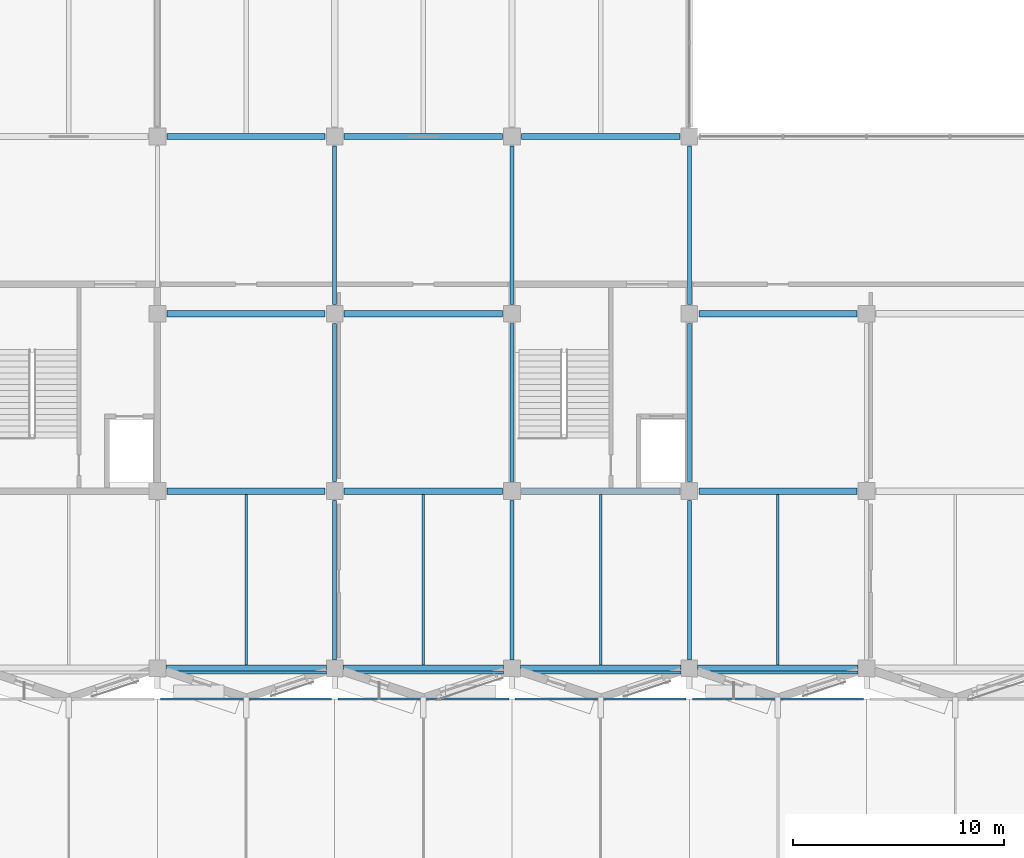
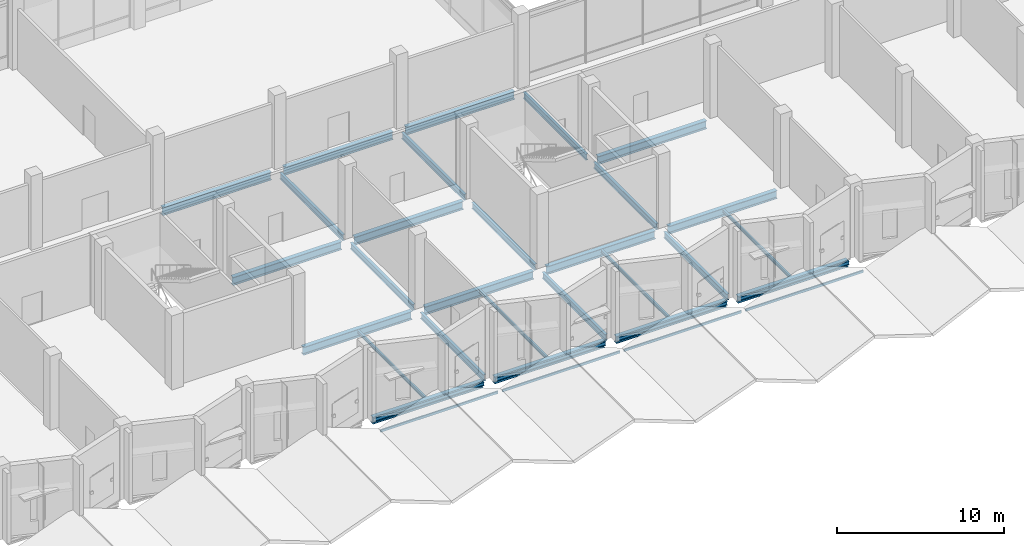
# One storey, part 19 of 72: 31 beams, 4 members.
"""IFC4 building model written with IfcOpenShell, lengths in metres."""

from ifc_helpers import new_model, si_unit, direction, frame, origin, origin_2d, place, context, subcontext, project, spatial, hollow_rectangle, i_section, extrude, material, material_profile, profile_set, type_object, element, save


model = new_model("IFC4")

# Units and contexts
model_context = context("Model", 3, precision=1e-05, world=origin(), true_north=direction((0.0, 1.0)))
body_context = subcontext(model_context, "Body", "Model", "MODEL_VIEW")
ifc_project = project(units=[si_unit("LENGTHUNIT", "METRE"), si_unit("AREAUNIT", "SQUARE_METRE"), si_unit("VOLUMEUNIT", "CUBIC_METRE"), si_unit("PLANEANGLEUNIT", "RADIAN"), si_unit("MASSUNIT", "GRAM", prefix="KILO")], contexts=[model_context])

# Site, building, storey
site_placement = place(None, origin())
site = spatial("IfcSite", under=ifc_project, at=site_placement, CompositionType="ELEMENT")
building_placement = place(site_placement, origin())
building = spatial("IfcBuilding", under=site, at=building_placement, Name="Qawsi Khor Wholesale Market", CompositionType="ELEMENT")
storey_placement = place(building_placement, frame((0.0, 0.0, 6.0)))
storey = spatial("IfcBuildingStorey", under=building, at=storey_placement, Name="L01", CompositionType="ELEMENT", Elevation=6.0)

# Beams
ifc_material = material(Name="Steel S355", Category="steel")
ifc_material_profile_1 = material_profile(ifc_material, i_section(OverallWidth=0.135009765625, OverallDepth=0.27001953125, WebThickness=0.006591796875, FlangeThickness=0.01025390625, FilletRadius=0.014892578125, at=origin_2d()), Name="IPE 270")
ifc_profile_set_1 = profile_set([ifc_material_profile_1], Name="Steel S355")
beam_type_1 = type_object("IfcBeamType", Name="Canopy Beam IPE 270", PredefinedType="BEAM", material=ifc_profile_set_1)
beam_1_placement = place(storey_placement, frame((126.39990234375, -0.199951171875, -0.419921875), z_axis=(1.0, 0.0, 0.0), x_axis=(0.0, 1.0, 0.0)))
element("IfcBeam", 1, at=beam_1_placement, inside=storey, type_object=beam_type_1, Name="Canopy tie beam 15", PredefinedType="BEAM", context=body_context, shape_type="SweptSolid", body=[
    extrude(i_section(OverallWidth=0.135009765625, OverallDepth=0.27001953125, WebThickness=0.006591796875, FlangeThickness=0.01025390625, FilletRadius=0.014892578125, at=origin_2d()), origin(), (0.0, 0.0, 1.0), 7.60009765625),
])
beam_2_placement = place(storey_placement, frame((134.800048828125, -0.199951171875, -0.419921875), z_axis=(1.0, 0.0, 0.0), x_axis=(0.0, 1.0, 0.0)))
element("IfcBeam", 2, at=beam_2_placement, inside=storey, type_object=beam_type_1, Name="Canopy tie beam 16", PredefinedType="BEAM", context=body_context, shape_type="SweptSolid", body=[
    extrude(i_section(OverallWidth=0.135009765625, OverallDepth=0.27001953125, WebThickness=0.006591796875, FlangeThickness=0.01025390625, FilletRadius=0.014892578125, at=origin_2d()), origin(), (0.0, 0.0, 1.0), 7.599853515625),
])
beam_3_placement = place(storey_placement, frame((143.199951171875, -0.199951171875, -0.419921875), z_axis=(1.0, 0.0, 0.0), x_axis=(0.0, 1.0, 0.0)))
element("IfcBeam", 3, at=beam_3_placement, inside=storey, type_object=beam_type_1, Name="Canopy tie beam 17", PredefinedType="BEAM", context=body_context, shape_type="SweptSolid", body=[
    extrude(i_section(OverallWidth=0.135009765625, OverallDepth=0.27001953125, WebThickness=0.006591796875, FlangeThickness=0.01025390625, FilletRadius=0.014892578125, at=origin_2d()), origin(), (0.0, 0.0, 1.0), 7.60009765625),
])
beam_4_placement = place(storey_placement, frame((151.60009765625, -0.199951171875, -0.419921875), z_axis=(1.0, 0.0, 0.0), x_axis=(0.0, 1.0, 0.0)))
element("IfcBeam", 4, at=beam_4_placement, inside=storey, type_object=beam_type_1, Name="Canopy tie beam 18", PredefinedType="BEAM", context=body_context, shape_type="SweptSolid", body=[
    extrude(i_section(OverallWidth=0.135009765625, OverallDepth=0.27001953125, WebThickness=0.006591796875, FlangeThickness=0.01025390625, FilletRadius=0.014892578125, at=origin_2d()), origin(), (0.0, 0.0, 1.0), 7.599853515625),
])

# Members
ifc_material_profile_2 = material_profile(ifc_material, hollow_rectangle(XDim=0.10009765625, YDim=0.179931640625, WallThickness=0.008056640625, InnerFilletRadius=0.008056640625, OuterFilletRadius=0.01611328125, at=origin_2d()), Name="RHS 180x100x8.0")
ifc_profile_set_2 = profile_set([ifc_material_profile_2], Name="Steel S355")
member_type = type_object("IfcMemberType", Name="Canopy Sub-Purlin RHS 180x100x8.0", PredefinedType="PURLIN", material=ifc_profile_set_2)
member_1_placement = place(storey_placement, frame((126.14990234375, -1.449951171875, -0.3798828125), z_axis=(1.0, 0.0, 0.0), x_axis=(0.0, 1.0, 0.0)))
element("IfcMember", 5, at=member_1_placement, inside=storey, type_object=member_type, Name="Canopy valley sub-purlin 15", PredefinedType="PURLIN", context=body_context, shape_type="SweptSolid", body=[
    extrude(hollow_rectangle(XDim=0.10009765625, YDim=0.179931640625, WallThickness=0.008056640625, InnerFilletRadius=0.008056640625, OuterFilletRadius=0.01611328125, at=origin_2d()), origin(), (0.0, 0.0, 1.0), 8.10009765625),
])
member_2_placement = place(storey_placement, frame((134.550048828125, -1.449951171875, -0.3798828125), z_axis=(1.0, 0.0, 0.0), x_axis=(0.0, 1.0, 0.0)))
element("IfcMember", 6, at=member_2_placement, inside=storey, type_object=member_type, Name="Canopy valley sub-purlin 16", PredefinedType="PURLIN", context=body_context, shape_type="SweptSolid", body=[
    extrude(hollow_rectangle(XDim=0.10009765625, YDim=0.179931640625, WallThickness=0.008056640625, InnerFilletRadius=0.008056640625, OuterFilletRadius=0.01611328125, at=origin_2d()), origin(), (0.0, 0.0, 1.0), 8.099853515625),
])
member_3_placement = place(storey_placement, frame((142.949951171875, -1.449951171875, -0.3798828125), z_axis=(1.0, 0.0, 0.0), x_axis=(0.0, 1.0, 0.0)))
element("IfcMember", 7, at=member_3_placement, inside=storey, type_object=member_type, Name="Canopy valley sub-purlin 17", PredefinedType="PURLIN", context=body_context, shape_type="SweptSolid", body=[
    extrude(hollow_rectangle(XDim=0.10009765625, YDim=0.179931640625, WallThickness=0.008056640625, InnerFilletRadius=0.008056640625, OuterFilletRadius=0.01611328125, at=origin_2d()), origin(), (0.0, 0.0, 1.0), 8.10009765625),
])
member_4_placement = place(storey_placement, frame((151.35009765625, -1.449951171875, -0.3798828125), z_axis=(1.0, 0.0, 0.0), x_axis=(0.0, 1.0, 0.0)))
element("IfcMember", 8, at=member_4_placement, inside=storey, type_object=member_type, Name="Canopy valley sub-purlin 18", PredefinedType="PURLIN", context=body_context, shape_type="SweptSolid", body=[
    extrude(hollow_rectangle(XDim=0.10009765625, YDim=0.179931640625, WallThickness=0.008056640625, InnerFilletRadius=0.008056640625, OuterFilletRadius=0.01611328125, at=origin_2d()), origin(), (0.0, 0.0, 1.0), 8.099853515625),
])

# Beams
ifc_material_profile_3 = material_profile(ifc_material, i_section(OverallWidth=0.1201171875, OverallDepth=0.239990234375, WebThickness=0.006103515625, FlangeThickness=0.009765625, FilletRadius=0.014892578125, at=origin_2d()), Name="IPE 240")
ifc_profile_set_3 = profile_set([ifc_material_profile_3], Name="Steel S355")
beam_type_2 = type_object("IfcBeamType", Name="Floor Joist IPE 240", PredefinedType="JOIST", material=ifc_profile_set_3)
for number, where, z_axis, x_axis, name in (
    (9, (130.199951171875, 0.14990234375, -0.39990234375), (0.0, 1.0, 0.0), (-1.0, 0.0, 0.0), "JST-S-L01-15"),
    (10, (138.60009765625, 0.14990234375, -0.39990234375), (0.0, 1.0, 0.0), (-1.0, 0.0, 0.0), "JST-S-L01-16"),
    (11, (147.0, 0.14990234375, -0.39990234375), (0.0, 1.0, 0.0), (-1.0, 0.0, 0.0), "JST-S-L01-17"),
    (12, (155.39990234375, 0.14990234375, -0.39990234375), (0.0, 1.0, 0.0), (-1.0, 0.0, 0.0), "JST-S-L01-18"),
):
    element("IfcBeam", number, at=place(storey_placement, frame(where, z_axis=z_axis, x_axis=x_axis)), inside=storey, type_object=beam_type_2, Name=name, PredefinedType="JOIST", context=body_context, shape_type="SweptSolid", body=[
        extrude(i_section(OverallWidth=0.1201171875, OverallDepth=0.239990234375, WebThickness=0.006103515625, FlangeThickness=0.009765625, FilletRadius=0.014892578125, at=origin_2d()), origin(), (0.0, 0.0, 1.0), 8.10009765625),
    ])
ifc_material_profile_4 = material_profile(ifc_material, i_section(OverallWidth=0.300048828125, OverallDepth=0.5, WebThickness=0.014404296875, FlangeThickness=0.028076171875, FilletRadius=0.027099609375, at=origin_2d()), Name="HEB 500")
ifc_profile_set_4 = profile_set([ifc_material_profile_4], Name="Steel S355")
beam_type_3 = type_object("IfcBeamType", Name="Heavy Edge Girder HEB 500", PredefinedType="BEAM", material=ifc_profile_set_4)
beam_5_placement = place(storey_placement, frame((126.39990234375, 0.0, -0.530029296875), z_axis=(1.0, 0.0, 0.0), x_axis=(0.0, 1.0, 0.0)))
element("IfcBeam", 13, at=beam_5_placement, inside=storey, type_object=beam_type_3, Name="BM-X-L01-15_+00", PredefinedType="BEAM", context=body_context, shape_type="SweptSolid", body=[
    extrude(i_section(OverallWidth=0.300048828125, OverallDepth=0.5, WebThickness=0.014404296875, FlangeThickness=0.028076171875, FilletRadius=0.027099609375, at=origin_2d()), origin(), (0.0, 0.0, 1.0), 7.60009765625),
])
beam_6_placement = place(storey_placement, frame((134.800048828125, 0.0, -0.530029296875), z_axis=(1.0, 0.0, 0.0), x_axis=(0.0, 1.0, 0.0)))
element("IfcBeam", 14, at=beam_6_placement, inside=storey, type_object=beam_type_3, Name="BM-X-L01-16_+00", PredefinedType="BEAM", context=body_context, shape_type="SweptSolid", body=[
    extrude(i_section(OverallWidth=0.300048828125, OverallDepth=0.5, WebThickness=0.014404296875, FlangeThickness=0.028076171875, FilletRadius=0.027099609375, at=origin_2d()), origin(), (0.0, 0.0, 1.0), 7.599853515625),
])
beam_7_placement = place(storey_placement, frame((143.199951171875, 0.0, -0.530029296875), z_axis=(1.0, 0.0, 0.0), x_axis=(0.0, 1.0, 0.0)))
element("IfcBeam", 15, at=beam_7_placement, inside=storey, type_object=beam_type_3, Name="BM-X-L01-17_+00", PredefinedType="BEAM", context=body_context, shape_type="SweptSolid", body=[
    extrude(i_section(OverallWidth=0.300048828125, OverallDepth=0.5, WebThickness=0.014404296875, FlangeThickness=0.028076171875, FilletRadius=0.027099609375, at=origin_2d()), origin(), (0.0, 0.0, 1.0), 7.60009765625),
])
beam_8_placement = place(storey_placement, frame((151.60009765625, 0.0, -0.530029296875), z_axis=(1.0, 0.0, 0.0), x_axis=(0.0, 1.0, 0.0)))
element("IfcBeam", 16, at=beam_8_placement, inside=storey, type_object=beam_type_3, Name="BM-X-L01-18_+00", PredefinedType="BEAM", context=body_context, shape_type="SweptSolid", body=[
    extrude(i_section(OverallWidth=0.300048828125, OverallDepth=0.5, WebThickness=0.014404296875, FlangeThickness=0.028076171875, FilletRadius=0.027099609375, at=origin_2d()), origin(), (0.0, 0.0, 1.0), 7.599853515625),
])
ifc_material_profile_5 = material_profile(ifc_material, i_section(OverallWidth=0.300048828125, OverallDepth=0.590087890625, WebThickness=0.012939453125, FlangeThickness=0.02490234375, FilletRadius=0.027099609375, at=origin_2d()), Name="HEA 600")
ifc_profile_set_5 = profile_set([ifc_material_profile_5], Name="Steel S355")
beam_type_4 = type_object("IfcBeamType", Name="Primary Girder HEA 600", PredefinedType="BEAM", material=ifc_profile_set_5)
for number, where, z_axis, x_axis, name in (
    (17, (126.449951171875, 8.39990234375, -0.574951171875), (1.0, 0.0, 0.0), (0.0, 1.0, 0.0), "BM-X-L01-15_+01"),
    (18, (126.449951171875, 16.800048828125, -0.574951171875), (1.0, 0.0, 0.0), (0.0, 1.0, 0.0), "BM-X-L01-15_+02"),
    (19, (126.449951171875, 25.199951171875, -0.574951171875), (1.0, 0.0, 0.0), (0.0, 1.0, 0.0), "BM-X-L01-15_+03"),
    (20, (134.85009765625, 8.39990234375, -0.574951171875), (1.0, 0.0, 0.0), (0.0, 1.0, 0.0), "BM-X-L01-16_+01"),
    (21, (134.85009765625, 16.800048828125, -0.574951171875), (1.0, 0.0, 0.0), (0.0, 1.0, 0.0), "BM-X-L01-16_+02"),
    (22, (134.85009765625, 25.199951171875, -0.574951171875), (1.0, 0.0, 0.0), (0.0, 1.0, 0.0), "BM-X-L01-16_+03"),
    (23, (143.25, 8.39990234375, -0.574951171875), (1.0, 0.0, 0.0), (0.0, 1.0, 0.0), "BM-X-L01-17_+01"),
    (24, (143.25, 25.199951171875, -0.574951171875), (1.0, 0.0, 0.0), (0.0, 1.0, 0.0), "BM-X-L01-17_+03"),
    (25, (151.64990234375, 8.39990234375, -0.574951171875), (1.0, 0.0, 0.0), (0.0, 1.0, 0.0), "BM-X-L01-18_+01"),
    (26, (151.64990234375, 16.800048828125, -0.574951171875), (1.0, 0.0, 0.0), (0.0, 1.0, 0.0), "BM-X-L01-18_+02"),
):
    element("IfcBeam", number, at=place(storey_placement, frame(where, z_axis=z_axis, x_axis=x_axis)), inside=storey, type_object=beam_type_4, Name=name, PredefinedType="BEAM", context=body_context, shape_type="SweptSolid", body=[
        extrude(i_section(OverallWidth=0.300048828125, OverallDepth=0.590087890625, WebThickness=0.012939453125, FlangeThickness=0.02490234375, FilletRadius=0.027099609375, at=origin_2d()), origin(), (0.0, 0.0, 1.0), 7.5),
    ])
ifc_material_profile_6 = material_profile(ifc_material, i_section(OverallWidth=0.18994140625, OverallDepth=0.449951171875, WebThickness=0.009521484375, FlangeThickness=0.0146484375, FilletRadius=0.02099609375, at=origin_2d()), Name="IPE 450")
ifc_profile_set_6 = profile_set([ifc_material_profile_6], Name="Steel S355")
beam_type_5 = type_object("IfcBeamType", Name="Secondary Beam IPE 450", PredefinedType="BEAM", material=ifc_profile_set_6)
beam_9_placement = place(storey_placement, frame((134.39990234375, 0.39990234375, -0.5048828125), z_axis=(0.0, 1.0, 0.0), x_axis=(-1.0, 0.0, 0.0)))
element("IfcBeam", 27, at=beam_9_placement, inside=storey, type_object=beam_type_5, Name="BM-Y-L01-16_+00", PredefinedType="BEAM", context=body_context, shape_type="SweptSolid", body=[
    extrude(i_section(OverallWidth=0.18994140625, OverallDepth=0.449951171875, WebThickness=0.009521484375, FlangeThickness=0.0146484375, FilletRadius=0.02099609375, at=origin_2d()), origin(), (0.0, 0.0, 1.0), 7.550048828125),
])
for number, where, z_axis, x_axis, name in (
    (28, (134.39990234375, 8.85009765625, -0.5048828125), (0.0, 1.0, 0.0), (-1.0, 0.0, 0.0), "BM-Y-L01-16_+01"),
    (29, (134.39990234375, 17.25, -0.5048828125), (0.0, 1.0, 0.0), (-1.0, 0.0, 0.0), "BM-Y-L01-16_+02"),
):
    element("IfcBeam", number, at=place(storey_placement, frame(where, z_axis=z_axis, x_axis=x_axis)), inside=storey, type_object=beam_type_5, Name=name, PredefinedType="BEAM", context=body_context, shape_type="SweptSolid", body=[
        extrude(i_section(OverallWidth=0.18994140625, OverallDepth=0.449951171875, WebThickness=0.009521484375, FlangeThickness=0.0146484375, FilletRadius=0.02099609375, at=origin_2d()), origin(), (0.0, 0.0, 1.0), 7.5),
    ])
beam_10_placement = place(storey_placement, frame((142.800048828125, 0.39990234375, -0.5048828125), z_axis=(0.0, 1.0, 0.0), x_axis=(-1.0, 0.0, 0.0)))
element("IfcBeam", 30, at=beam_10_placement, inside=storey, type_object=beam_type_5, Name="BM-Y-L01-17_+00", PredefinedType="BEAM", context=body_context, shape_type="SweptSolid", body=[
    extrude(i_section(OverallWidth=0.18994140625, OverallDepth=0.449951171875, WebThickness=0.009521484375, FlangeThickness=0.0146484375, FilletRadius=0.02099609375, at=origin_2d()), origin(), (0.0, 0.0, 1.0), 7.550048828125),
])
for number, where, z_axis, x_axis, name in (
    (31, (142.800048828125, 8.85009765625, -0.5048828125), (0.0, 1.0, 0.0), (-1.0, 0.0, 0.0), "BM-Y-L01-17_+01"),
    (32, (142.800048828125, 17.25, -0.5048828125), (0.0, 1.0, 0.0), (-1.0, 0.0, 0.0), "BM-Y-L01-17_+02"),
):
    element("IfcBeam", number, at=place(storey_placement, frame(where, z_axis=z_axis, x_axis=x_axis)), inside=storey, type_object=beam_type_5, Name=name, PredefinedType="BEAM", context=body_context, shape_type="SweptSolid", body=[
        extrude(i_section(OverallWidth=0.18994140625, OverallDepth=0.449951171875, WebThickness=0.009521484375, FlangeThickness=0.0146484375, FilletRadius=0.02099609375, at=origin_2d()), origin(), (0.0, 0.0, 1.0), 7.5),
    ])
beam_11_placement = place(storey_placement, frame((151.199951171875, 0.39990234375, -0.5048828125), z_axis=(0.0, 1.0, 0.0), x_axis=(-1.0, 0.0, 0.0)))
element("IfcBeam", 33, at=beam_11_placement, inside=storey, type_object=beam_type_5, Name="BM-Y-L01-18_+00", PredefinedType="BEAM", context=body_context, shape_type="SweptSolid", body=[
    extrude(i_section(OverallWidth=0.18994140625, OverallDepth=0.449951171875, WebThickness=0.009521484375, FlangeThickness=0.0146484375, FilletRadius=0.02099609375, at=origin_2d()), origin(), (0.0, 0.0, 1.0), 7.550048828125),
])
for number, where, z_axis, x_axis, name in (
    (34, (151.199951171875, 8.85009765625, -0.5048828125), (0.0, 1.0, 0.0), (-1.0, 0.0, 0.0), "BM-Y-L01-18_+01"),
    (35, (151.199951171875, 17.25, -0.5048828125), (0.0, 1.0, 0.0), (-1.0, 0.0, 0.0), "BM-Y-L01-18_+02"),
):
    element("IfcBeam", number, at=place(storey_placement, frame(where, z_axis=z_axis, x_axis=x_axis)), inside=storey, type_object=beam_type_5, Name=name, PredefinedType="BEAM", context=body_context, shape_type="SweptSolid", body=[
        extrude(i_section(OverallWidth=0.18994140625, OverallDepth=0.449951171875, WebThickness=0.009521484375, FlangeThickness=0.0146484375, FilletRadius=0.02099609375, at=origin_2d()), origin(), (0.0, 0.0, 1.0), 7.5),
    ])

save(model, "model.ifc")
